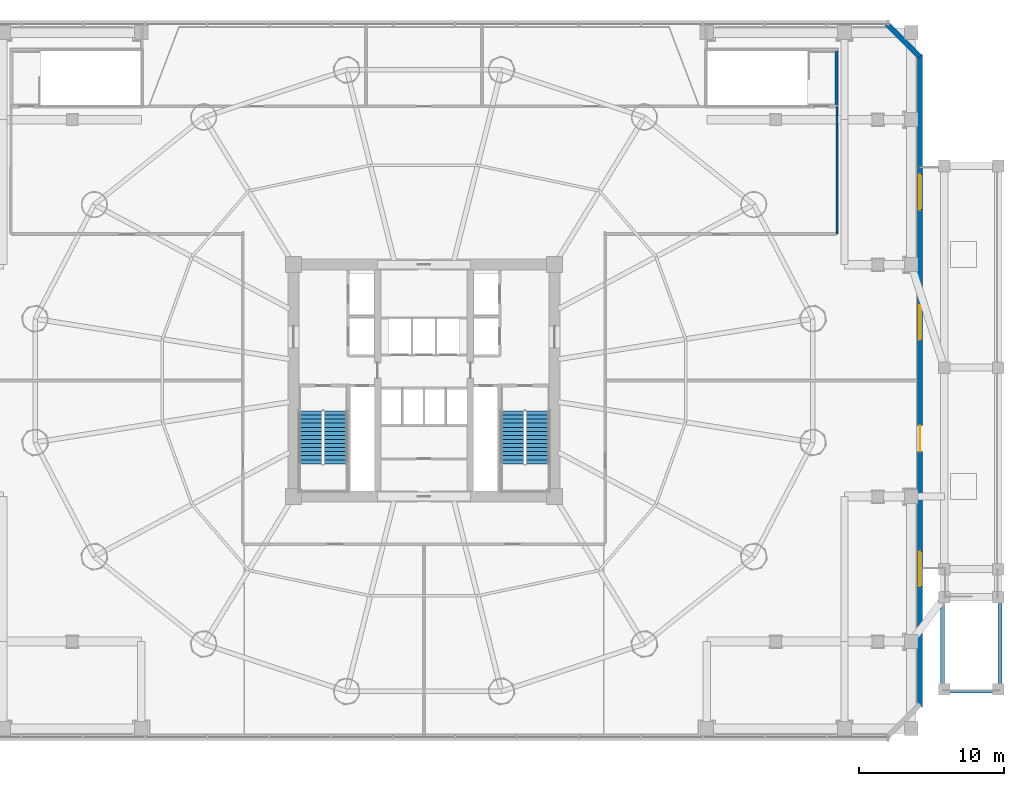
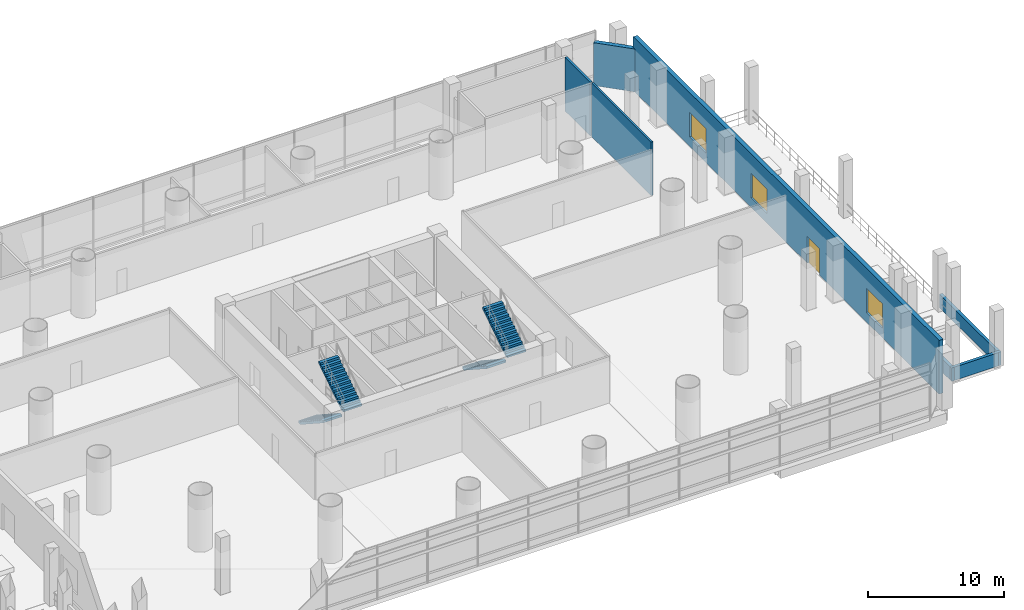
# One storey, part 24 of 31: 7 walls, 4 stair flights, 3 windows, 1 door, 4 openings, 2 elements without a shape of their own.
"""IFC4 building model written with IfcOpenShell, lengths in metres."""

from ifc_helpers import new_model, si_unit, direction, frame, frame_2d, origin, place, context, subcontext, project, spatial, polyline, rectangle, outline, extrude, source, transform, mapped, material, layer, layer_set, type_object, element, fill, aggregate, save


model = new_model("IFC4")

# Units and contexts
model_context = context("Model", 3, precision=1e-05, world=origin(), true_north=direction((-0.2419218956, 0.970295726276)))
body_context = subcontext(model_context, "Body", "Model", "MODEL_VIEW")
ifc_project = project(units=[si_unit("LENGTHUNIT", "METRE"), si_unit("AREAUNIT", "SQUARE_METRE"), si_unit("VOLUMEUNIT", "CUBIC_METRE"), si_unit("PLANEANGLEUNIT", "RADIAN"), si_unit("MASSUNIT", "GRAM", prefix="KILO")], contexts=[model_context])

# Site, building, storey
site_placement = place(None, origin())
site = spatial("IfcSite", under=ifc_project, at=site_placement, CompositionType="ELEMENT")
building_placement = place(site_placement, origin())
building = spatial("IfcBuilding", under=site, at=building_placement, Name="Cobrevalo Terracotta Tower", CompositionType="ELEMENT")
storey_placement = place(building_placement, frame((0.0, 0.0, 18.89990234375)))
storey = spatial("IfcBuildingStorey", under=building, at=storey_placement, Name="L04", CompositionType="ELEMENT", Elevation=18.89990234375)

# Wall, openings, door, windows
ifc_material_1 = material(Name="Concrete C45", Category="concrete")
ifc_layer_1 = layer(ifc_material_1, 0.35009765625)
ifc_layer_set_1 = layer_set([ifc_layer_1], Name="Concrete C45")
wall_type_1 = type_object("IfcWallType", Name="Board-marked precast architectural concrete facade wall 350 mm", PredefinedType="SOLIDWALL", material=ifc_layer_set_1)
wall_1_placement = place(storey_placement, frame((72.199951171875, 4.300048828125, 0.0), z_axis=(0.0, 0.0, 1.0), x_axis=(0.0, 1.0, 0.0)))
wall_1 = element("IfcWall", 1, at=wall_1_placement, inside=storey, type_object=wall_type_1, Name="L04 east podium facade wall", PredefinedType="SOLIDWALL", context=body_context, shape_type="SweptSolid", body=[
    extrude(rectangle(XDim=45.0, YDim=0.35009765625, at=frame_2d((22.5, 0.0))), origin(), (0.0, 0.0, 1.0), 4.820068359375),
])
opening_1_placement = place(wall_1_placement, frame((8.300048828125, 0.0, 0.85009765625)))
opening_1 = element("IfcOpeningElement", 2, at=opening_1_placement, cuts=wall_1, Name="Opening WN-09", PredefinedType="OPENING", context=body_context, shape_type="SweptSolid", body=[
    extrude(rectangle(XDim=2.39990234375, YDim=2.199951171875, at=frame_2d((1.199951171875, 1.10009765625))), frame((0.0, 0.18505859375, 0.0), z_axis=(0.0, -1.0, 0.0), x_axis=(1.0, 0.0, 0.0)), (0.0, 0.0, 1.0), 0.3701171875),
])
opening_2_placement = place(wall_1_placement, frame((25.300048828125, 0.0, 0.85009765625)))
opening_2 = element("IfcOpeningElement", 3, at=opening_2_placement, cuts=wall_1, Name="Opening WN-09", PredefinedType="OPENING", context=body_context, shape_type="SweptSolid", body=[
    extrude(rectangle(XDim=2.39990234375, YDim=2.199951171875, at=frame_2d((1.199951171875, 1.10009765625))), frame((0.0, 0.18505859375, 0.0), z_axis=(0.0, -1.0, 0.0), x_axis=(1.0, 0.0, 0.0)), (0.0, 0.0, 1.0), 0.3701171875),
])
opening_3_placement = place(wall_1_placement, frame((34.300048828125, 0.0, 0.85009765625)))
opening_3 = element("IfcOpeningElement", 4, at=opening_3_placement, cuts=wall_1, Name="Opening WN-09", PredefinedType="OPENING", context=body_context, shape_type="SweptSolid", body=[
    extrude(rectangle(XDim=2.39990234375, YDim=2.199951171875, at=frame_2d((1.199951171875, 1.10009765625))), frame((0.0, 0.18505859375, 0.0), z_axis=(0.0, -1.0, 0.0), x_axis=(1.0, 0.0, 0.0)), (0.0, 0.0, 1.0), 0.3701171875),
])
opening_4_placement = place(wall_1_placement, frame((17.60009765625, 0.0, 0.0)))
opening_4 = element("IfcOpeningElement", 5, at=opening_4_placement, cuts=wall_1, Name="Opening ED-08", PredefinedType="OPENING", context=body_context, shape_type="SweptSolid", body=[
    extrude(rectangle(XDim=1.800048828125, YDim=2.39990234375, at=frame_2d((0.89990234375, 1.199951171875))), frame((0.0, 0.18505859375, 0.0), z_axis=(0.0, -1.0, 0.0), x_axis=(1.0, 0.0, 0.0)), (0.0, 0.0, 1.0), 0.3701171875),
])
ifc_material_2 = material(Name="Anodized aluminium and laminated glass", Category="aluminium")
door_type = type_object("IfcDoorType", Name="Retail & garden terrace double glazed door 1800x2400", OperationType="NOTDEFINED", PredefinedType="DOOR", material=ifc_material_2)
shared_shape_1 = source(origin(), body_context, "Body", "SweptSolid", [
    extrude(rectangle(XDim=1.800048828125, YDim=2.39990234375, at=frame_2d((0.89990234375, 1.199951171875))), frame((0.0, 0.02490234375, 0.0), z_axis=(0.0, -1.0, 0.0), x_axis=(1.0, 0.0, 0.0)), (0.0, 0.0, 1.0), 0.050048828125),
])
door_placement = place(opening_4_placement, frame((1.800048828125, 0.0, 0.0), z_axis=(0.0, 0.0, 1.0), x_axis=(-1.0, 0.0, 0.0)))
door = element("IfcDoor", 6, at=door_placement, inside=storey, type_object=door_type, Name="L04 east raised public garden terrace door", OperationType="DOUBLE_DOOR_SINGLE_SWING", OverallHeight=2.39990234375, OverallWidth=1.800048828125, PredefinedType="DOOR", context=body_context, shape_type="MappedRepresentation", body=[
    mapped(shared_shape_1, transform((0.0, 0.0, 0.0), scale=1.0)),
])
fill(opening_4, door)
ifc_material_3 = material(Name="Solar-control low-E double glazing", Category="glass")
window_type = type_object("IfcWindowType", Name="Podium upper gallery bronze-anodized window 2400x2200", PartitioningType="SINGLE_PANEL", PredefinedType="WINDOW", material=ifc_material_3)
shared_shape_2 = source(origin(), body_context, "Body", "SweptSolid", [
    extrude(rectangle(XDim=2.39990234375, YDim=2.199951171875, at=frame_2d((1.199951171875, 1.10009765625))), frame((0.0, 0.030029296875, 0.0), z_axis=(0.0, -1.0, 0.0), x_axis=(1.0, 0.0, 0.0)), (0.0, 0.0, 1.0), 0.06005859375),
])
window_1_placement = place(opening_1_placement, origin())
window_1 = element("IfcWindow", 7, at=window_1_placement, inside=storey, type_object=window_type, Name="L04 east gallery window 1", OverallHeight=2.199951171875, OverallWidth=2.39990234375, PartitioningType="SINGLE_PANEL", PredefinedType="WINDOW", context=body_context, shape_type="MappedRepresentation", body=[
    mapped(shared_shape_2, transform((0.0, 0.0, 0.0), scale=1.0)),
])
fill(opening_1, window_1)
window_2_placement = place(opening_2_placement, origin())
window_2 = element("IfcWindow", 8, at=window_2_placement, inside=storey, type_object=window_type, Name="L04 east gallery window 2", OverallHeight=2.199951171875, OverallWidth=2.39990234375, PartitioningType="SINGLE_PANEL", PredefinedType="WINDOW", context=body_context, shape_type="MappedRepresentation", body=[
    mapped(shared_shape_2, transform((0.0, 0.0, 0.0), scale=1.0)),
])
fill(opening_2, window_2)
window_3_placement = place(opening_3_placement, origin())
window_3 = element("IfcWindow", 9, at=window_3_placement, inside=storey, type_object=window_type, Name="L04 east gallery window 3", OverallHeight=2.199951171875, OverallWidth=2.39990234375, PartitioningType="SINGLE_PANEL", PredefinedType="WINDOW", context=body_context, shape_type="MappedRepresentation", body=[
    mapped(shared_shape_2, transform((0.0, 0.0, 0.0), scale=1.0)),
])
fill(opening_3, window_3)

# Walls
wall_2_placement = place(storey_placement, frame((72.199951171875, 49.1201171875, 0.0), z_axis=(0.0, 0.0, 1.0), x_axis=(-0.707144639935, 0.707068920411, 0.0)))
element("IfcWall", 10, at=wall_2_placement, inside=storey, type_object=wall_type_1, Name="L04 chamfered corner pier NE", PredefinedType="SOLIDWALL", context=body_context, shape_type="SweptSolid", body=[
    extrude(rectangle(XDim=3.224365234375, YDim=0.35009765625, at=frame_2d((1.6123046875, 0.0))), origin(), (0.0, 0.0, 1.0), 3.85498046875),
])
ifc_material_4 = material(Name="Concrete C50", Category="concrete")
ifc_layer_2 = layer(ifc_material_4, 0.25)
ifc_layer_set_2 = layer_set([ifc_layer_2], Name="Concrete C50")
wall_type_2 = type_object("IfcWallType", Name="Exterior raised-garden stair shaft RC wall 250 mm Concrete C50", PredefinedType="SOLIDWALL", material=ifc_layer_set_2)
for number, where, z_axis, x_axis, name in (
    (11, (73.7548828125, 5.25, 0.0), (0.0, 0.0, 1.0), (0.0, 1.0, 0.0), "L04 East monumental raised-garden stair structural shaft wall W"),
    (12, (77.72509765625, 5.25, 0.0), (0.0, 0.0, 1.0), (0.0, 1.0, 0.0), "L04 East monumental raised-garden stair structural shaft wall E"),
):
    element("IfcWall", number, at=place(storey_placement, frame(where, z_axis=z_axis, x_axis=x_axis)), inside=storey, type_object=wall_type_2, Name=name, PredefinedType="SOLIDWALL", context=body_context, shape_type="SweptSolid", body=[
        extrude(rectangle(XDim=8.675048828125, YDim=0.25, at=frame_2d((4.33740234375, 0.0))), origin(), (0.0, 0.0, 1.0), 1.2001953125),
    ])
wall_3_placement = place(storey_placement, frame((73.6298828125, 5.375, 0.0), z_axis=(0.0, 0.0, 1.0), x_axis=(1.0, 0.0, 0.0)))
element("IfcWall", 13, at=wall_3_placement, inside=storey, type_object=wall_type_2, Name="L04 East monumental raised-garden stair structural shaft wall S", PredefinedType="SOLIDWALL", context=body_context, shape_type="SweptSolid", body=[
    extrude(rectangle(XDim=4.22021484375, YDim=0.25, at=frame_2d((2.110107421875, 0.0))), origin(), (0.0, 0.0, 1.0), 1.2001953125),
])
ifc_material_5 = material(Name="Gypsum board on steel stud", Category="steel")
ifc_layer_3 = layer(ifc_material_5, 0.159912109375)
ifc_layer_set_3 = layer_set([ifc_layer_3], Name="Gypsum board on steel stud")
wall_type_3 = type_object("IfcWallType", Name="Fire-rated corridor acoustic partition wall 160 mm", PredefinedType="PARTITIONING", material=ifc_layer_set_3)
wall_4_placement = place(storey_placement, frame((66.47998046875, 36.919921875, 0.0), z_axis=(0.0, 0.0, 1.0), x_axis=(0.0, 1.0, 0.0)))
element("IfcWall", 14, at=wall_4_placement, inside=storey, type_object=wall_type_3, Name="L04 interior partition IW-L04-PC-NE", PredefinedType="PARTITIONING", context=body_context, shape_type="SweptSolid", body=[
    extrude(rectangle(XDim=8.780029296875, YDim=0.159912109375, at=frame_2d((4.39013671875, 0.0))), origin(), (0.0, 0.0, 1.0), 4.820068359375),
])
ifc_layer_4 = layer(ifc_material_4, 0.199951171875)
ifc_layer_set_4 = layer_set([ifc_layer_4], Name="Concrete C50")
wall_type_4 = type_object("IfcWallType", Name="Structural core & podium stair-shaft RC wall 200 mm Concrete C50", PredefinedType="SOLIDWALL", material=ifc_layer_set_4)
wall_5_placement = place(storey_placement, frame((66.449951171875, 45.800048828125, 0.0), z_axis=(0.0, 0.0, 1.0), x_axis=(0.0, 1.0, 0.0)))
element("IfcWall", 15, at=wall_5_placement, inside=storey, type_object=wall_type_4, Name="L04 STP2 east structural shaft wall", PredefinedType="SOLIDWALL", context=body_context, shape_type="SweptSolid", body=[
    extrude(rectangle(XDim=3.719970703125, YDim=0.199951171875, at=frame_2d((1.85986328125, 0.0))), origin(), (0.0, 0.0, 1.0), 4.820068359375),
])

# Stair, stair flights
stair_type = type_object("IfcStairType", Name="Core protected escape dogleg stair 1600", PredefinedType="HALF_TURN_STAIR", material=ifc_material_4)
stair_1_placement = place(storey_placement, origin())
stair_1 = element("IfcStair", 16, at=stair_1_placement, inside=storey, type_object=stair_type, Name="L04 Protected exit stair ST-1", PredefinedType="HALF_TURN_STAIR")
stair_flight_type = type_object("IfcStairFlightType", Name="Core protected escape dogleg stair 1600 flight", PredefinedType="STRAIGHT", material=ifc_material_4)
stair_flight_1_placement = place(storey_placement, frame((30.175048828125, 24.699951171875, 0.0), z_axis=(0.0, 0.0, 1.0), x_axis=(0.0, -1.0, 0.0)))
stair_flight_1 = element("IfcStairFlight", 17, at=stair_flight_1_placement, type_object=stair_flight_type, Name="ST-1 flight 1", NumberOfRisers=14, NumberOfTreads=13, PredefinedType="STRAIGHT", RiserHeight=0.182142857, TreadLength=0.28, context=body_context, shape_type="SweptSolid", body=[
    extrude(outline(polyline([(0.0, 0.0), (0.0, 0.18212890625), (0.280029296875, 0.18212890625), (0.280029296875, 0.3642578125), (0.56005859375, 0.3642578125), (0.56005859375, 0.54638671875), (0.840087890625, 0.54638671875), (0.840087890625, 0.728515625), (1.1201171875, 0.728515625), (1.1201171875, 0.91064453125), (1.39990234375, 0.91064453125), (1.39990234375, 1.0927734375), (1.679931640625, 1.0927734375), (1.679931640625, 1.27490234375), (1.9599609375, 1.27490234375), (1.9599609375, 1.45703125), (2.239990234375, 1.45703125), (2.239990234375, 1.639404296875), (2.52001953125, 1.639404296875), (2.52001953125, 1.821533203125), (2.800048828125, 1.821533203125), (2.800048828125, 2.003662109375), (3.080078125, 2.003662109375), (3.080078125, 2.185791015625), (3.360107421875, 2.185791015625), (3.360107421875, 2.367919921875), (3.639892578125, 2.367919921875), (3.639892578125, 2.550048828125), (3.639892578125, 2.177001953125), (0.293212890625, 0.0), (0.0, 0.0)])), frame((0.0, 0.800048828125, 0.0), z_axis=(0.0, -1.0, 0.0), x_axis=(1.0, 0.0, 0.0)), (0.0, 0.0, 1.0), 1.60009765625),
])
stair_flight_2_placement = place(storey_placement, frame((31.89501953125, 21.06005859375, 2.550048828125), z_axis=(0.0, 0.0, 1.0), x_axis=(0.0, 1.0, 0.0)))
stair_flight_2 = element("IfcStairFlight", 18, at=stair_flight_2_placement, type_object=stair_flight_type, Name="ST-1 flight 2", NumberOfRisers=14, NumberOfTreads=13, PredefinedType="STRAIGHT", RiserHeight=0.182142857, TreadLength=0.28, context=body_context, shape_type="SweptSolid", body=[
    extrude(outline(polyline([(0.0, 0.0), (0.0, 0.18212890625), (0.280029296875, 0.18212890625), (0.280029296875, 0.3642578125), (0.56005859375, 0.3642578125), (0.56005859375, 0.54638671875), (0.840087890625, 0.54638671875), (0.840087890625, 0.728515625), (1.1201171875, 0.728515625), (1.1201171875, 0.91064453125), (1.39990234375, 0.91064453125), (1.39990234375, 1.0927734375), (1.679931640625, 1.0927734375), (1.679931640625, 1.27490234375), (1.9599609375, 1.27490234375), (1.9599609375, 1.45703125), (2.239990234375, 1.45703125), (2.239990234375, 1.639404296875), (2.52001953125, 1.639404296875), (2.52001953125, 1.821533203125), (2.800048828125, 1.821533203125), (2.800048828125, 2.003662109375), (3.080078125, 2.003662109375), (3.080078125, 2.185791015625), (3.360107421875, 2.185791015625), (3.360107421875, 2.367919921875), (3.639892578125, 2.367919921875), (3.639892578125, 2.550048828125), (3.639892578125, 2.177001953125), (0.293212890625, 0.0), (0.0, 0.0)])), frame((0.0, 0.800048828125, 0.0), z_axis=(0.0, -1.0, 0.0), x_axis=(1.0, 0.0, 0.0)), (0.0, 0.0, 1.0), 1.60009765625),
])
aggregate(stair_1, [stair_flight_1, stair_flight_2])

stair_2_placement = place(storey_placement, origin())
stair_2 = element("IfcStair", 19, at=stair_2_placement, inside=storey, type_object=stair_type, Name="L04 Protected exit stair ST-2", PredefinedType="HALF_TURN_STAIR")
stair_flight_3_placement = place(storey_placement, frame((44.10498046875, 24.699951171875, 0.0), z_axis=(0.0, 0.0, 1.0), x_axis=(0.0, -1.0, 0.0)))
stair_flight_3 = element("IfcStairFlight", 20, at=stair_flight_3_placement, type_object=stair_flight_type, Name="ST-2 flight 1", NumberOfRisers=14, NumberOfTreads=13, PredefinedType="STRAIGHT", RiserHeight=0.182142857, TreadLength=0.28, context=body_context, shape_type="SweptSolid", body=[
    extrude(outline(polyline([(0.0, 0.0), (0.0, 0.18212890625), (0.280029296875, 0.18212890625), (0.280029296875, 0.3642578125), (0.56005859375, 0.3642578125), (0.56005859375, 0.54638671875), (0.840087890625, 0.54638671875), (0.840087890625, 0.728515625), (1.1201171875, 0.728515625), (1.1201171875, 0.91064453125), (1.39990234375, 0.91064453125), (1.39990234375, 1.0927734375), (1.679931640625, 1.0927734375), (1.679931640625, 1.27490234375), (1.9599609375, 1.27490234375), (1.9599609375, 1.45703125), (2.239990234375, 1.45703125), (2.239990234375, 1.639404296875), (2.52001953125, 1.639404296875), (2.52001953125, 1.821533203125), (2.800048828125, 1.821533203125), (2.800048828125, 2.003662109375), (3.080078125, 2.003662109375), (3.080078125, 2.185791015625), (3.360107421875, 2.185791015625), (3.360107421875, 2.367919921875), (3.639892578125, 2.367919921875), (3.639892578125, 2.550048828125), (3.639892578125, 2.177001953125), (0.293212890625, 0.0), (0.0, 0.0)])), frame((0.0, 0.800048828125, 0.0), z_axis=(0.0, -1.0, 0.0), x_axis=(1.0, 0.0, 0.0)), (0.0, 0.0, 1.0), 1.60009765625),
])
stair_flight_4_placement = place(storey_placement, frame((45.824951171875, 21.06005859375, 2.550048828125), z_axis=(0.0, 0.0, 1.0), x_axis=(0.0, 1.0, 0.0)))
stair_flight_4 = element("IfcStairFlight", 21, at=stair_flight_4_placement, type_object=stair_flight_type, Name="ST-2 flight 2", NumberOfRisers=14, NumberOfTreads=13, PredefinedType="STRAIGHT", RiserHeight=0.182142857, TreadLength=0.28, context=body_context, shape_type="SweptSolid", body=[
    extrude(outline(polyline([(0.0, 0.0), (0.0, 0.18212890625), (0.280029296875, 0.18212890625), (0.280029296875, 0.3642578125), (0.56005859375, 0.3642578125), (0.56005859375, 0.54638671875), (0.840087890625, 0.54638671875), (0.840087890625, 0.728515625), (1.1201171875, 0.728515625), (1.1201171875, 0.91064453125), (1.39990234375, 0.91064453125), (1.39990234375, 1.0927734375), (1.679931640625, 1.0927734375), (1.679931640625, 1.27490234375), (1.9599609375, 1.27490234375), (1.9599609375, 1.45703125), (2.239990234375, 1.45703125), (2.239990234375, 1.639404296875), (2.52001953125, 1.639404296875), (2.52001953125, 1.821533203125), (2.800048828125, 1.821533203125), (2.800048828125, 2.003662109375), (3.080078125, 2.003662109375), (3.080078125, 2.185791015625), (3.360107421875, 2.185791015625), (3.360107421875, 2.367919921875), (3.639892578125, 2.367919921875), (3.639892578125, 2.550048828125), (3.639892578125, 2.177001953125), (0.293212890625, 0.0), (0.0, 0.0)])), frame((0.0, 0.800048828125, 0.0), z_axis=(0.0, -1.0, 0.0), x_axis=(1.0, 0.0, 0.0)), (0.0, 0.0, 1.0), 1.60009765625),
])
aggregate(stair_2, [stair_flight_3, stair_flight_4])

save(model, "model.ifc")
